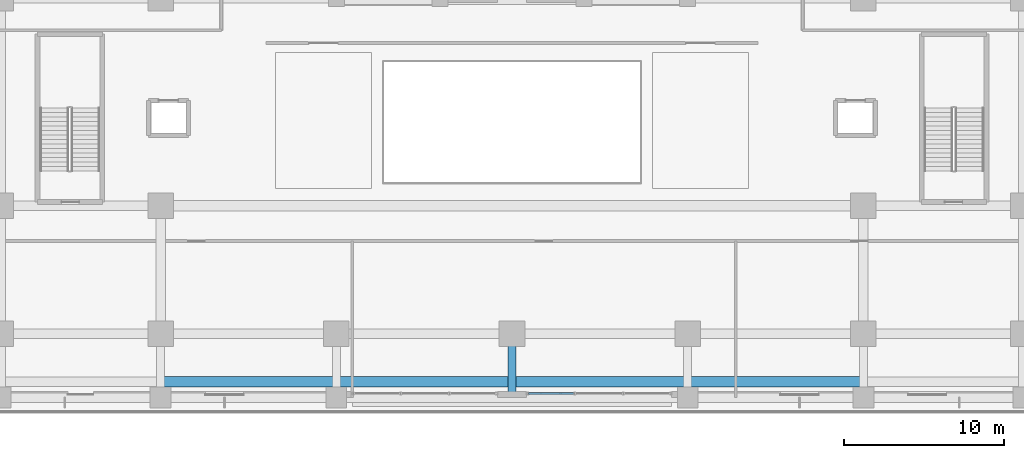
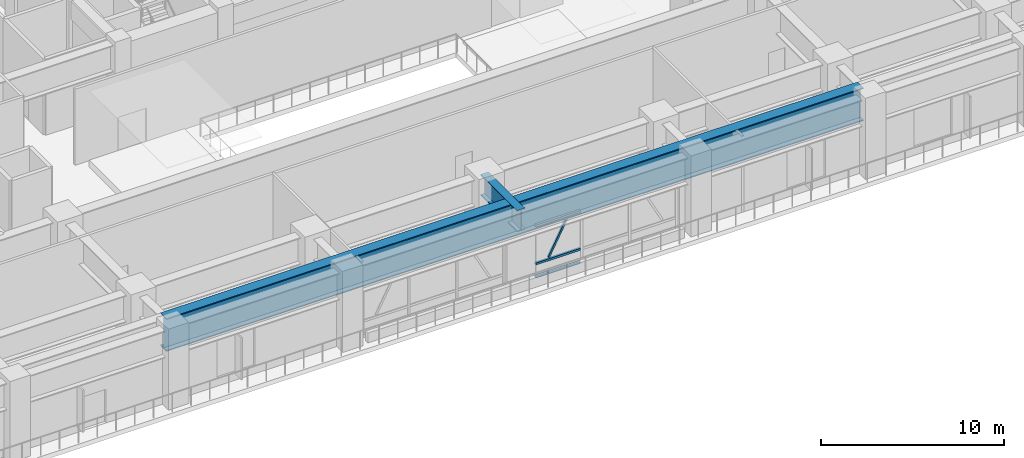
# One storey, part 5 of 28: 4 members, 2 beams, 1 element without a shape of its own.
"""IFC4 building model written with IfcOpenShell, lengths in metres."""

from ifc_helpers import new_model, si_unit, direction, frame, origin, origin_2d, place, context, subcontext, project, spatial, hollow_rectangle, i_section, extrude, source, transform, mapped, material, material_profile, profile_set, type_object, element, aggregate, save


model = new_model("IFC4")

# Units and contexts
model_context = context("Model", 3, precision=1e-05, world=origin(), true_north=direction((0.0, 1.0)))
body_context = subcontext(model_context, "Body", "Model", "MODEL_VIEW")
ifc_project = project(units=[si_unit("LENGTHUNIT", "METRE"), si_unit("AREAUNIT", "SQUARE_METRE"), si_unit("VOLUMEUNIT", "CUBIC_METRE"), si_unit("PLANEANGLEUNIT", "RADIAN"), si_unit("MASSUNIT", "GRAM", prefix="KILO")], contexts=[model_context])

# Site, building, storey
site_placement = place(None, origin())
site = spatial("IfcSite", under=ifc_project, at=site_placement, CompositionType="ELEMENT")
building_placement = place(site_placement, origin())
building = spatial("IfcBuilding", under=site, at=building_placement, Name="Khorayat Bourse Tower", CompositionType="ELEMENT")
storey_placement = place(building_placement, frame((0.0, 0.0, 12.0)))
storey = spatial("IfcBuildingStorey", under=building, at=storey_placement, Name="L02", CompositionType="ELEMENT", Elevation=12.0)

# Beams
ifc_material_1 = material(Name="Steel EN 10025-4 S460M", Category="steel")
ifc_material_profile_1 = material_profile(ifc_material_1, i_section(OverallWidth=0.64990234375, OverallDepth=2.199951171875, WebThickness=0.035888671875, FlangeThickness=0.06494140625, at=origin_2d()), Name="PG 2200x650x36x65")
ifc_profile_set_1 = profile_set([ifc_material_profile_1], Name="Steel EN 10025-4 S460M")
beam_type_1 = type_object("IfcBeamType", Name="BM-TR-2200", PredefinedType="BEAM", material=ifc_profile_set_1)
shared_shape_1 = source(origin(), body_context, "Body", "SweptSolid", [
    extrude(i_section(OverallWidth=0.64990234375, OverallDepth=2.199951171875, WebThickness=0.035888671875, FlangeThickness=0.06494140625, at=origin_2d()), origin(), (0.0, 0.0, 1.0), 44.0),
])
beam_1_placement = place(storey_placement, frame((-22.0, -35.0, 3.97998046875), z_axis=(1.0, 0.0, 0.0), x_axis=(0.0, 1.0, 0.0)))
element("IfcBeam", 1, at=beam_1_placement, inside=storey, type_object=beam_type_1, Name="L02 BM-TR-2200 BM-L02-PGX-033", PredefinedType="BEAM", context=body_context, shape_type="MappedRepresentation", body=[
    mapped(shared_shape_1, transform((0.0, 0.0, 0.0), scale=1.0)),
])
ifc_material_profile_2 = material_profile(ifc_material_1, i_section(OverallWidth=0.5, OverallDepth=1.39990234375, WebThickness=0.02490234375, FlangeThickness=0.050048828125, at=origin_2d()), Name="PG 1400x500x25x50")
ifc_profile_set_2 = profile_set([ifc_material_profile_2], Name="Steel EN 10025-4 S460M")
beam_type_2 = type_object("IfcBeamType", Name="BM-TR-1400", PredefinedType="BEAM", material=ifc_profile_set_2)
shared_shape_2 = source(origin(), body_context, "Body", "SweptSolid", [
    extrude(i_section(OverallWidth=0.5, OverallDepth=1.39990234375, WebThickness=0.02490234375, FlangeThickness=0.050048828125, at=origin_2d()), origin(), (0.0, 0.0, 1.0), 4.0),
])
beam_2_placement = place(storey_placement, frame((0.0, -36.0, 4.3798828125), z_axis=(0.0, 1.0, 0.0), x_axis=(-1.0, 0.0, 0.0)))
element("IfcBeam", 2, at=beam_2_placement, inside=storey, type_object=beam_type_2, Name="L02 BM-TR-1400 BM-L02-PGY-131", PredefinedType="BEAM", context=body_context, shape_type="MappedRepresentation", body=[
    mapped(shared_shape_2, transform((0.0, 0.0, 0.0), scale=1.0)),
])

# Curtain wall, members
ifc_material_2 = material(Name="Aluminium EN AW-6063 T6", Category="aluminium")
curtain_wall_type = type_object("IfcCurtainWallType", Name="CW-SYS-01", PredefinedType="NOTDEFINED", material=ifc_material_2)
curtain_wall_placement = place(storey_placement, origin())
curtain_wall = element("IfcCurtainWall", 3, at=curtain_wall_placement, inside=storey, type_object=curtain_wall_type, Name="L02 Curtain Wall CW-L02-SE", PredefinedType="NOTDEFINED")
ifc_material_profile_3 = material_profile(ifc_material_2, hollow_rectangle(XDim=0.1201171875, YDim=0.1201171875, WallThickness=0.0048828125, at=origin_2d()), Name="ALU 120x120x5")
ifc_profile_set_3 = profile_set([ifc_material_profile_3], Name="Aluminium EN AW-6063 T6")
member_type_1 = type_object("IfcMemberType", Name="CWM-DIAG-120", PredefinedType="MULLION", material=ifc_profile_set_3)
shared_shape_3 = source(origin(), body_context, "Body", "SweptSolid", [
    extrude(hollow_rectangle(XDim=0.1201171875, YDim=0.1201171875, WallThickness=0.0048828125, at=origin_2d()), origin(), (0.0, 0.0, 1.0), 2.52001953125),
])
member_1_placement = place(storey_placement, frame((1.86474609375, -35.742919921875, 1.10009765625), z_axis=(0.465794346287, 0.0, 0.884893003118), x_axis=(0.0, 1.0, 0.0)))
member_1 = element("IfcMember", 4, at=member_1_placement, type_object=member_type_1, Name="CW-L02-SE Faceted Diagonal Mullion 1", PredefinedType="MULLION", context=body_context, shape_type="MappedRepresentation", body=[
    mapped(shared_shape_3, transform((0.0, 0.0, 0.0), scale=1.0)),
])
ifc_material_profile_4 = material_profile(ifc_material_2, hollow_rectangle(XDim=0.139892578125, YDim=0.139892578125, WallThickness=0.006103515625, at=origin_2d()), Name="ALU 140x140x6")
ifc_profile_set_4 = profile_set([ifc_material_profile_4], Name="Aluminium EN AW-6063 T6")
member_type_2 = type_object("IfcMemberType", Name="CWT-HORZ-140", PredefinedType="USERDEFINED", material=ifc_profile_set_4)
shared_shape_4 = source(origin(), body_context, "Body", "SweptSolid", [
    extrude(hollow_rectangle(XDim=0.139892578125, YDim=0.139892578125, WallThickness=0.006103515625, at=origin_2d()), origin(), (0.0, 0.0, 1.0), 2.8232421875),
])
member_2_placement = place(storey_placement, frame((1.0400390625, -35.742919921875, 0.070068359375), z_axis=(1.0, 0.0, 0.0), x_axis=(0.0, 1.0, 0.0)))
member_2 = element("IfcMember", 5, at=member_2_placement, type_object=member_type_2, Name="CW-L02-SE Horizontal Transom 1-1", ObjectType="TRANSOM", PredefinedType="USERDEFINED", context=body_context, shape_type="MappedRepresentation", body=[
    mapped(shared_shape_4, transform((0.0, 0.0, 0.0), scale=1.0)),
])
member_3_placement = place(storey_placement, frame((1.0400390625, -35.742919921875, 0.949951171875), z_axis=(1.0, 0.0, 0.0), x_axis=(0.0, 1.0, 0.0)))
member_3 = element("IfcMember", 6, at=member_3_placement, type_object=member_type_2, Name="CW-L02-SE Horizontal Transom 1-2", ObjectType="TRANSOM", PredefinedType="USERDEFINED", context=body_context, shape_type="MappedRepresentation", body=[
    mapped(shared_shape_4, transform((0.0, 0.0, 0.0), scale=1.0)),
])
member_4_placement = place(storey_placement, frame((1.0400390625, -35.742919921875, 3.47998046875), z_axis=(1.0, 0.0, 0.0), x_axis=(0.0, 1.0, 0.0)))
member_4 = element("IfcMember", 7, at=member_4_placement, type_object=member_type_2, Name="CW-L02-SE Horizontal Transom 1-3", ObjectType="TRANSOM", PredefinedType="USERDEFINED", context=body_context, shape_type="MappedRepresentation", body=[
    mapped(shared_shape_4, transform((0.0, 0.0, 0.0), scale=1.0)),
])
aggregate(curtain_wall, [member_2, member_3, member_4, member_1])

save(model, "model.ifc")
